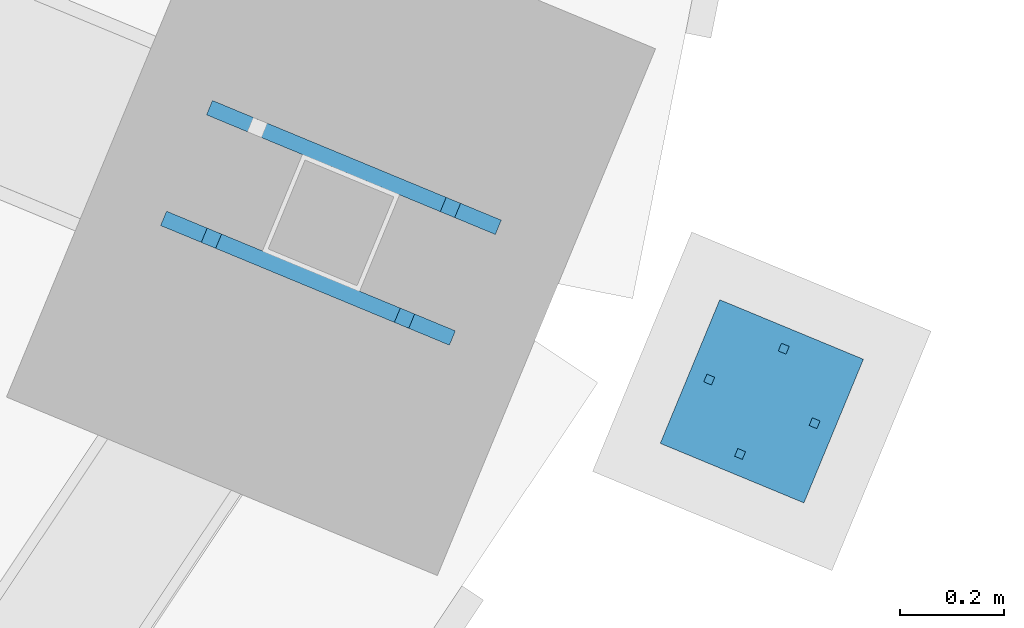
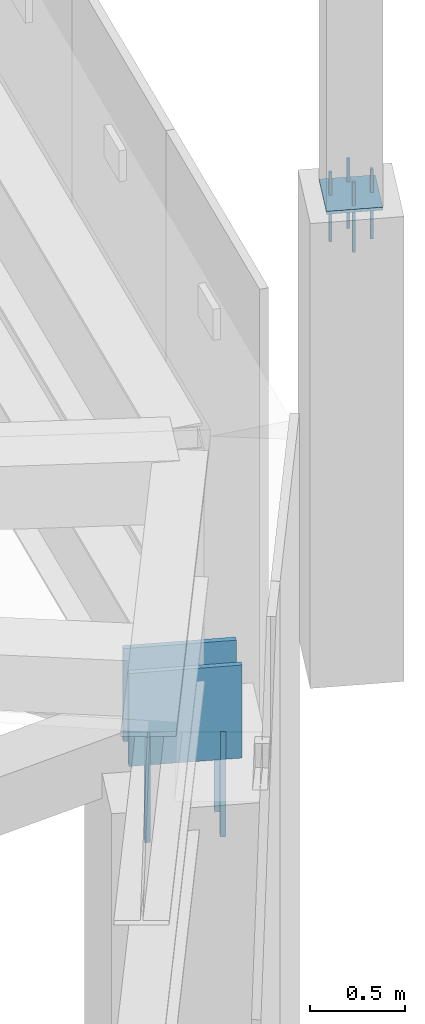
# One storey, part 179 of 278: 7 mechanical fasteners, 3 discrete accessories.
"""IFC4 building model written with IfcOpenShell, lengths in metres."""

from ifc_helpers import new_model, si_unit, direction, frame, origin, origin_2d, place, context, subcontext, project, spatial, rectangle, extrude, material, layer, layer_set, type_object, element, save


model = new_model("IFC4")

# Units and contexts
model_context = context("Model", 3, precision=1e-05, world=origin(), true_north=direction((0.0, 1.0)))
body_context = subcontext(model_context, "Body", "Model", "MODEL_VIEW")
ifc_project = project(units=[si_unit("LENGTHUNIT", "METRE"), si_unit("AREAUNIT", "SQUARE_METRE"), si_unit("VOLUMEUNIT", "CUBIC_METRE"), si_unit("PLANEANGLEUNIT", "RADIAN"), si_unit("MASSUNIT", "GRAM", prefix="KILO")], contexts=[model_context])

# Site, building, storey
site_placement = place(None, origin())
site = spatial("IfcSite", under=ifc_project, at=site_placement, CompositionType="ELEMENT")
building_placement = place(site_placement, origin())
building = spatial("IfcBuilding", under=site, at=building_placement, Name="Ogive Plaza Stadium", CompositionType="ELEMENT")
storey_placement = place(building_placement, frame((0.0, 0.0, 29.0)))
storey = spatial("IfcBuildingStorey", under=building, at=storey_placement, Name="Roof", CompositionType="ELEMENT", Elevation=29.0)

# Mechanical fasteners
ifc_material_1 = material(Name="Steel ASTM A992 Grade 50", Category="steel")
mechanical_fastener_type_1 = type_object("IfcMechanicalFastenerType", Name="Anchor bolt M30 x 600", PredefinedType="ANCHORBOLT", material=ifc_material_1)
for number, where, z_axis, x_axis, name in (
    (1, (80.424560546875, -71.6044921875, 3.0), (0.0, 0.0, 1.0), (0.923879532511, -0.382683432365, 0.0), "ANCHOR BOLT 09 BF 1.1"),
    (2, (80.3359375, -71.818115234375, 3.0), (0.0, 0.0, 1.0), (0.923879532511, -0.382683432365, 0.0), "ANCHOR BOLT 09 BF 2.1"),
    (3, (79.96337890625, -71.663818359375, 3.0), (0.0, 0.0, 1.0), (0.923879532511, -0.382683432365, 0.0), "ANCHOR BOLT 09 BF 2.2"),
):
    element("IfcMechanicalFastener", number, at=place(storey_placement, frame(where, z_axis=z_axis, x_axis=x_axis)), inside=storey, type_object=mechanical_fastener_type_1, Name=name, PredefinedType="ANCHORBOLT", context=body_context, shape_type="SweptSolid", body=[
        extrude(rectangle(XDim=0.030029296875, YDim=0.030029296875, at=origin_2d()), origin(), (0.0, 0.0, 1.0), 0.679931640625),
    ])
ifc_material_2 = material(Name="Steel ASTM A992 Grade 50", Category="steel")
mechanical_fastener_type_2 = type_object("IfcMechanicalFastenerType", Name="Spire anchor bolt M16 x 450", PredefinedType="ANCHORBOLT", material=ifc_material_2)
for number, where, z_axis, x_axis, name in (
    (4, (81.127197265625, -72.020751953125, 6.7001953125), (0.0, 0.0, 1.0), (0.923879532511, -0.382683432365, 0.0), "SPIRE ANCHOR BOLT 09 1"),
    (5, (80.923828125, -71.9365234375, 6.7001953125), (0.0, 0.0, 1.0), (0.923879532511, -0.382683432365, 0.0), "SPIRE ANCHOR BOLT 09 2"),
    (6, (81.067626953125, -71.876953125, 6.7001953125), (0.0, 0.0, 1.0), (0.923879532511, -0.382683432365, 0.0), "SPIRE ANCHOR BOLT 09 3"),
    (7, (80.9833984375, -72.080078125, 6.7001953125), (0.0, 0.0, 1.0), (0.923879532511, -0.382683432365, 0.0), "SPIRE ANCHOR BOLT 09 4"),
):
    element("IfcMechanicalFastener", number, at=place(storey_placement, frame(where, z_axis=z_axis, x_axis=x_axis)), inside=storey, type_object=mechanical_fastener_type_2, Name=name, PredefinedType="ANCHORBOLT", context=body_context, shape_type="SweptSolid", body=[
        extrude(rectangle(XDim=0.01611328125, YDim=0.01611328125, at=origin_2d()), origin(), (0.0, 0.0, 1.0), 0.449951171875),
    ])

# Discrete accessories
ifc_material_3 = material(Name="Steel ASTM A992 Grade 50", Category="steel")
ifc_layer_1 = layer(ifc_material_3, 0.02001953125)
ifc_layer_set_1 = layer_set([ifc_layer_1], Name="Steel ASTM A992 Grade 50")
discrete_accessory_type_1 = type_object("IfcDiscreteAccessoryType", Name="Spire seat plate 20", PredefinedType="ANCHORPLATE", material=ifc_layer_set_1)
discrete_accessory_placement = place(storey_placement, frame((81.025390625, -71.978515625, 6.98095703125), z_axis=(0.0, 0.0, 1.0), x_axis=(0.923879532511, -0.382683432365, 0.0)))
element("IfcDiscreteAccessory", 8, at=discrete_accessory_placement, inside=storey, type_object=discrete_accessory_type_1, Name="SPIRE SEAT PLATE 09", PredefinedType="ANCHORPLATE", context=body_context, shape_type="SweptSolid", body=[
    extrude(rectangle(XDim=0.300048828125, YDim=0.300048828125, at=origin_2d()), origin(), (0.0, 0.0, 1.0), 0.02001953125),
])
ifc_material_4 = material(Name="Steel ASTM A992 Grade 50", Category="steel")
ifc_layer_2 = layer(ifc_material_4, 0.030029296875)
ifc_layer_set_2 = layer_set([ifc_layer_2], Name="Steel ASTM A992 Grade 50")
discrete_accessory_type_2 = type_object("IfcDiscreteAccessoryType", Name="Truss back-stay foot cleat plate 30", PredefinedType="ANCHORPLATE", material=ifc_layer_set_2)
for number, where, z_axis, x_axis, name in (
    (9, (80.23828125, -71.52734375, 3.5), (0.0, 0.0, 1.0), (0.923879532511, -0.382683432365, 0.0), "TRUSS BACK-STAY FOOT CLEAT PLATE 09 1"),
    (10, (80.149658203125, -71.740966796875, 3.5), (0.0, 0.0, 1.0), (0.923879532511, -0.382683432365, 0.0), "TRUSS BACK-STAY FOOT CLEAT PLATE 09 2"),
):
    element("IfcDiscreteAccessory", number, at=place(storey_placement, frame(where, z_axis=z_axis, x_axis=x_axis)), inside=storey, type_object=discrete_accessory_type_2, Name=name, PredefinedType="ANCHORPLATE", context=body_context, shape_type="SweptSolid", body=[
        extrude(rectangle(XDim=0.603271484375, YDim=0.030029296875, at=origin_2d()), origin(), (0.0, 0.0, 1.0), 0.60009765625),
    ])

save(model, "model.ifc")
